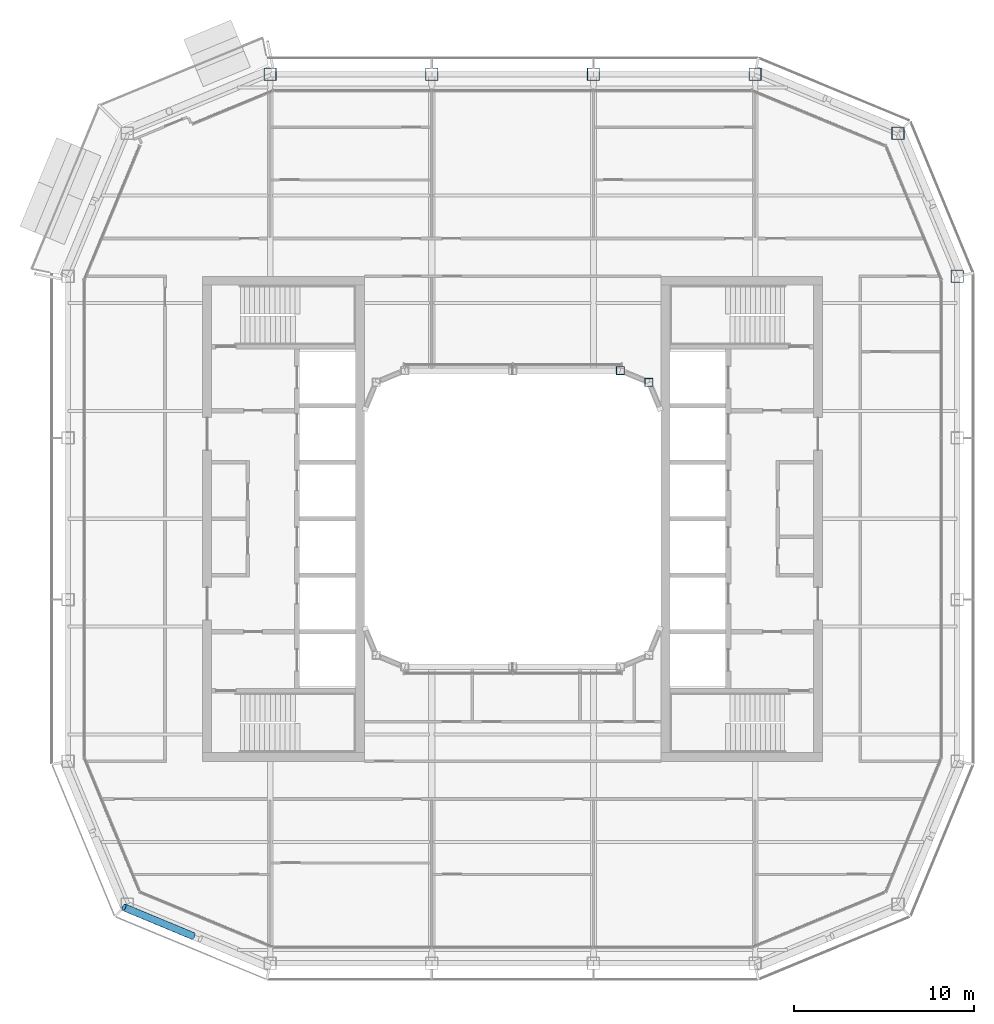
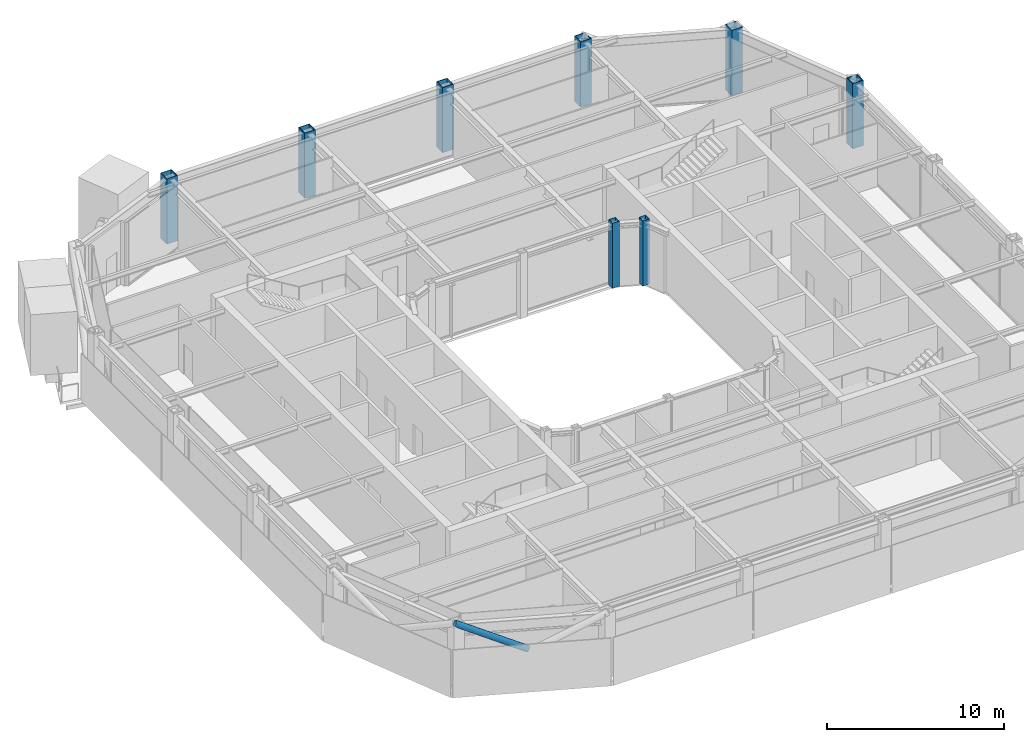
# One storey, part 2 of 22: 8 columns, 1 member.
"""IFC4 building model written with IfcOpenShell, lengths in metres."""

from ifc_helpers import new_model, si_unit, direction, frame, origin, origin_2d, place, context, subcontext, project, spatial, hollow_rectangle, hollow_circle, extrude, material, material_profile, profile_set, type_object, element, save


model = new_model("IFC4")

# Units and contexts
model_context = context("Model", 3, precision=1e-05, world=origin(), true_north=direction((0.0, 1.0)))
body_context = subcontext(model_context, "Body", "Model", "MODEL_VIEW")
ifc_project = project(units=[si_unit("LENGTHUNIT", "METRE"), si_unit("AREAUNIT", "SQUARE_METRE"), si_unit("VOLUMEUNIT", "CUBIC_METRE"), si_unit("PLANEANGLEUNIT", "RADIAN"), si_unit("MASSUNIT", "GRAM", prefix="KILO")], contexts=[model_context])

# Site, building, storey
site_placement = place(None, origin())
site = spatial("IfcSite", under=ifc_project, at=site_placement, CompositionType="ELEMENT")
building_placement = place(site_placement, origin())
building = spatial("IfcBuilding", under=site, at=building_placement, Name="Siwar Civic Tower", CompositionType="ELEMENT")
storey_placement = place(building_placement, frame((0.0, 0.0, 330.199951171875)))
storey = spatial("IfcBuildingStorey", under=building, at=storey_placement, Name="L71", CompositionType="ELEMENT", Elevation=330.199951171875)

# Columns
ifc_material_1 = material(Name="Steel S355", Category="steel")
ifc_material_profile_1 = material_profile(ifc_material_1, hollow_rectangle(XDim=0.699951171875, YDim=0.699951171875, WallThickness=0.035888671875, at=origin_2d()), Name="BOX700x700x36")
ifc_profile_set_1 = profile_set([ifc_material_profile_1], Name="Steel S355")
column_type_1 = type_object("IfcColumnType", Name="STR-COL-BOX700x700x36", PredefinedType="COLUMN", material=ifc_profile_set_1)
for number, where, z_axis, x_axis, name in (
    (1, (24.75, 13.5, 0.0), (0.0, 0.0, 1.0), (1.0, 0.0, 0.0), "L71/col/NE1-0"),
    (2, (21.454833984375, 21.454833984375, 0.0), (0.0, 0.0, 1.0), (1.0, 0.0, 0.0), "L71/col/NE2-0"),
    (3, (13.5, 24.75, 0.0), (0.0, 0.0, 1.0), (1.0, 0.0, 0.0), "L71/col/N-0"),
    (4, (4.5, 24.75, 0.0), (0.0, 0.0, 1.0), (1.0, 0.0, 0.0), "L71/col/N-1"),
    (5, (-4.5, 24.75, 0.0), (0.0, 0.0, 1.0), (1.0, 0.0, 0.0), "L71/col/N-2"),
    (6, (-13.5, 24.75, 0.0), (0.0, 0.0, 1.0), (1.0, 0.0, 0.0), "L71/col/NW1-0"),
):
    element("IfcColumn", number, at=place(storey_placement, frame(where, z_axis=z_axis, x_axis=x_axis)), inside=storey, type_object=column_type_1, Name=name, PredefinedType="COLUMN", context=body_context, shape_type="SweptSolid", body=[
        extrude(hollow_rectangle(XDim=0.699951171875, YDim=0.699951171875, WallThickness=0.035888671875, at=origin_2d()), origin(), (0.0, 0.0, 1.0), 4.5),
    ])
ifc_material_2 = material(Name="Steel S355", Category="steel")
ifc_material_profile_2 = material_profile(ifc_material_2, hollow_rectangle(XDim=0.449951171875, YDim=0.449951171875, WallThickness=0.02197265625, at=origin_2d()), Name="BOX450x450x22")
ifc_profile_set_2 = profile_set([ifc_material_profile_2], Name="Steel S355")
column_type_2 = type_object("IfcColumnType", Name="STR-ICOL-BOX450x450x22", PredefinedType="COLUMN", material=ifc_profile_set_2)
for number, where, z_axis, x_axis, name in (
    (7, (6.0, 8.25, 0.0), (0.0, 0.0, 1.0), (1.0, 0.0, 0.0), "L71/col/IN-3"),
    (8, (7.591064453125, 7.591064453125, 0.0), (0.0, 0.0, 1.0), (1.0, 0.0, 0.0), "L71/col/IN-4"),
):
    element("IfcColumn", number, at=place(storey_placement, frame(where, z_axis=z_axis, x_axis=x_axis)), inside=storey, type_object=column_type_2, Name=name, PredefinedType="COLUMN", context=body_context, shape_type="SweptSolid", body=[
        extrude(hollow_rectangle(XDim=0.449951171875, YDim=0.449951171875, WallThickness=0.02197265625, at=origin_2d()), origin(), (0.0, 0.0, 1.0), 4.5),
    ])

# Member
ifc_material_3 = material(Name="Steel S355", Category="steel")
ifc_material_profile_3 = material_profile(ifc_material_3, hollow_circle(Radius=0.203125, WallThickness=0.01611328125, at=origin_2d()), Name="CHS406.4x16")
ifc_profile_set_3 = profile_set([ifc_material_profile_3], Name="Steel S355")
member_type = type_object("IfcMemberType", Name="STR-BR-CHS406.4x16", PredefinedType="BRACE", material=ifc_profile_set_3)
member_placement = place(storey_placement, frame((-17.791259765625, -23.229736328125, 2.362060546875), z_axis=(-0.821166691915, 0.341652533125, 0.457120127208), x_axis=(-0.38413607648, -0.923276488787, 0.0)))
element("IfcMember", 9, at=member_placement, inside=storey, type_object=member_type, Name="L71/brc/DSW1-10-0-3", PredefinedType="BRACE", context=body_context, shape_type="SweptSolid", body=[
    extrude(hollow_circle(Radius=0.203125, WallThickness=0.01611328125, at=origin_2d()), origin(), (0.0, 0.0, 1.0), 4.677001953125),
])

save(model, "model.ifc")
